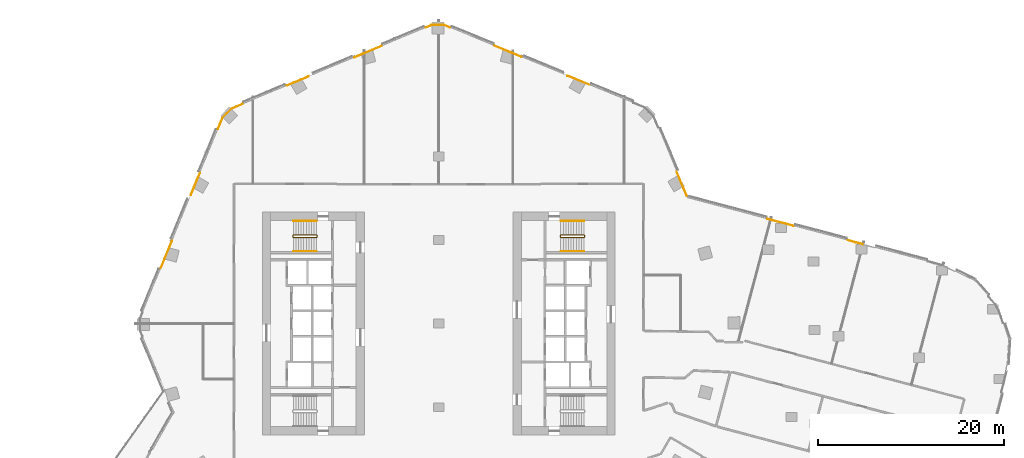
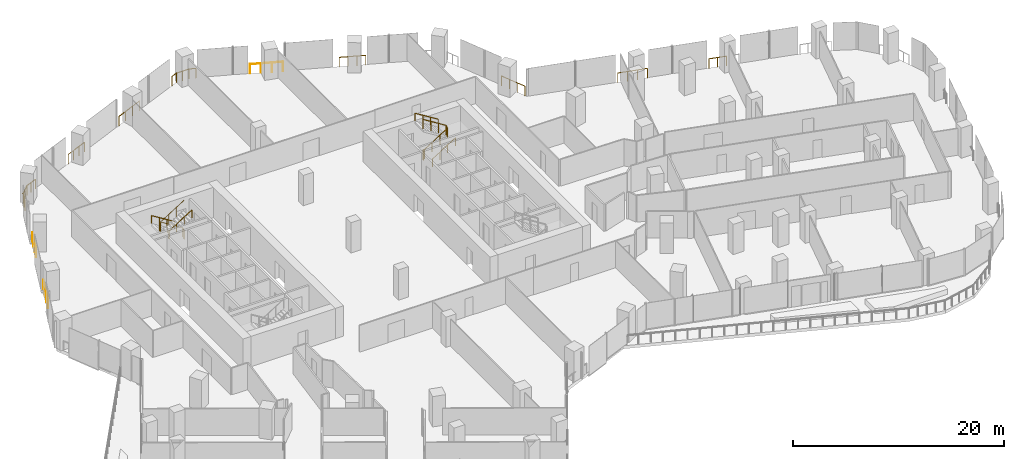
# One storey, part 33 of 34: 17 railings.
"""IFC4 building model written with IfcOpenShell, lengths in metres."""

from ifc_helpers import new_model, si_unit, direction, frame, origin, origin_2d, place, context, subcontext, project, spatial, circle, extrude, material, type_object, element, save


model = new_model("IFC4")

# Units and contexts
model_context = context("Model", 3, precision=1e-05, world=origin(), true_north=direction((0.0, 1.0)))
body_context = subcontext(model_context, "Body", "Model", "MODEL_VIEW")
ifc_project = project(units=[si_unit("LENGTHUNIT", "METRE"), si_unit("AREAUNIT", "SQUARE_METRE"), si_unit("VOLUMEUNIT", "CUBIC_METRE"), si_unit("PLANEANGLEUNIT", "RADIAN"), si_unit("MASSUNIT", "GRAM", prefix="KILO")], contexts=[model_context])

# Site, building, storey
site_placement = place(None, origin())
site = spatial("IfcSite", under=ifc_project, at=site_placement, CompositionType="ELEMENT")
building_placement = place(site_placement, origin())
building = spatial("IfcBuilding", under=site, at=building_placement, Name="Orlundy Tower", CompositionType="ELEMENT")
storey_placement = place(building_placement, frame((0.0, 0.0, 102.199951171875)))
storey = spatial("IfcBuildingStorey", under=building, at=storey_placement, Name="L25", CompositionType="ELEMENT", Elevation=102.199951171875)

# Railings
ifc_material_1 = material(Name="Steel balustrade", Category="steel")
railing_type_1 = type_object("IfcRailingType", Name="Stair Guard 1100", PredefinedType="GUARDRAIL", material=ifc_material_1)
railing_1_placement = place(storey_placement, frame((-13.090087890625, 9.5, 0.0)))
element("IfcRailing", 1, at=railing_1_placement, inside=storey, type_object=railing_type_1, Name="L25 ST-W1 stair guard 1", PredefinedType="GUARDRAIL", context=body_context, shape_type="SweptSolid", body=[
    extrude(circle(Radius=0.02392578125, at=origin_2d()), frame((0.0, 0.0, 1.076171875), z_axis=(0.0, -1.0, 0.0), x_axis=(1.0, 0.0, 0.0)), (0.0, 0.0, 1.0), 0.14990234375),
    extrude(circle(Radius=0.02392578125, at=origin_2d()), frame((0.0, -0.14990234375, 1.076171875), z_axis=(-0.18420542264, 0.739530593833, 0.647427882513), x_axis=(-0.970351222016, -0.241699205484, 0.0)), (0.0, 0.0, 1.0), 0.270263671875),
    extrude(circle(Radius=0.02392578125, at=origin_2d()), frame((-0.0498046875, 0.050048828125, 1.2509765625), z_axis=(-0.848007534815, 0.0, 0.529984170421), x_axis=(0.0, -1.0, 0.0)), (0.0, 0.0, 1.0), 2.9716796875),
    extrude(circle(Radius=0.02392578125, at=origin_2d()), frame((-2.56982421875, 0.050048828125, 2.826171875), z_axis=(-0.707106781187, -0.707106781187, 0.0), x_axis=(0.707106781187, -0.707106781187, 0.0)), (0.0, 0.0, 1.0), 0.07080078125),
    extrude(circle(Radius=0.02392578125, at=origin_2d()), frame((-2.619873046875, 0.0, 2.826171875), z_axis=(0.0, -1.0, 0.0), x_axis=(1.0, 0.0, 0.0)), (0.0, 0.0, 1.0), 0.14990234375),
    extrude(circle(Radius=0.02392578125, at=origin_2d()), frame((-2.619873046875, -0.14990234375, 2.826171875), z_axis=(0.265065253269, -0.265065253269, 0.927081885822), x_axis=(0.707106781187, 0.707106781187, 0.0)), (0.0, 0.0, 1.0), 0.188720703125),
    extrude(circle(Radius=0.02392578125, at=origin_2d()), frame((-2.56982421875, -0.199951171875, 3.0009765625), z_axis=(0.848007534815, 0.0, 0.529984170421), x_axis=(0.0, 1.0, 0.0)), (0.0, 0.0, 1.0), 2.9716796875),
    extrude(circle(Radius=0.02099609375, at=origin_2d()), origin(), (0.0, 0.0, 1.0), 1.052001953125),
    extrude(circle(Radius=0.02099609375, at=origin_2d()), frame((0.0, -0.14990234375, 0.0)), (0.0, 0.0, 1.0), 1.052001953125),
    extrude(circle(Radius=0.02099609375, at=origin_2d()), frame((-0.0498046875, 0.050048828125, 0.175048828125)), (0.0, 0.0, 1.0), 1.052001953125),
    extrude(circle(Radius=0.02099609375, at=origin_2d()), frame((-0.889892578125, 0.050048828125, 0.699951171875)), (0.0, 0.0, 1.0), 1.052001953125),
    extrude(circle(Radius=0.02099609375, at=origin_2d()), frame((-1.729736328125, 0.050048828125, 1.22509765625)), (0.0, 0.0, 1.0), 1.052001953125),
    extrude(circle(Radius=0.02099609375, at=origin_2d()), frame((-2.56982421875, 0.050048828125, 1.75)), (0.0, 0.0, 1.0), 1.052001953125),
    extrude(circle(Radius=0.02099609375, at=origin_2d()), frame((-2.619873046875, 0.0, 1.75)), (0.0, 0.0, 1.0), 1.052001953125),
    extrude(circle(Radius=0.02099609375, at=origin_2d()), frame((-2.619873046875, -0.14990234375, 1.75)), (0.0, 0.0, 1.0), 1.052001953125),
    extrude(circle(Radius=0.02099609375, at=origin_2d()), frame((-2.56982421875, -0.199951171875, 1.925048828125)), (0.0, 0.0, 1.0), 1.052001953125),
    extrude(circle(Radius=0.02099609375, at=origin_2d()), frame((-1.729736328125, -0.199951171875, 2.449951171875)), (0.0, 0.0, 1.0), 1.052001953125),
    extrude(circle(Radius=0.02099609375, at=origin_2d()), frame((-0.889892578125, -0.199951171875, 2.97509765625)), (0.0, 0.0, 1.0), 1.052001953125),
    extrude(circle(Radius=0.02099609375, at=origin_2d()), frame((-0.0498046875, -0.199951171875, 3.5)), (0.0, 0.0, 1.0), 1.052001953125),
])
railing_2_placement = place(storey_placement, frame((13.090087890625, 9.35009765625, 0.0)))
element("IfcRailing", 2, at=railing_2_placement, inside=storey, type_object=railing_type_1, Name="L25 ST-E2 stair guard 1", PredefinedType="GUARDRAIL", context=body_context, shape_type="SweptSolid", body=[
    extrude(circle(Radius=0.02392578125, at=origin_2d()), frame((0.0, 0.0, 1.076171875), z_axis=(0.0, 1.0, 0.0), x_axis=(-1.0, 0.0, 0.0)), (0.0, 0.0, 1.0), 0.14990234375),
    extrude(circle(Radius=0.02392578125, at=origin_2d()), frame((0.0, 0.14990234375, 1.076171875), z_axis=(0.18420542264, -0.739530593833, 0.647427882513), x_axis=(0.970351222016, 0.241699205484, 0.0)), (0.0, 0.0, 1.0), 0.270263671875),
    extrude(circle(Radius=0.02392578125, at=origin_2d()), frame((0.0498046875, -0.050048828125, 1.2509765625), z_axis=(0.848007534815, 0.0, 0.529984170421), x_axis=(0.0, 1.0, 0.0)), (0.0, 0.0, 1.0), 2.9716796875),
    extrude(circle(Radius=0.02392578125, at=origin_2d()), frame((2.56982421875, -0.050048828125, 2.826171875), z_axis=(0.707106781187, 0.707106781187, 0.0), x_axis=(-0.707106781187, 0.707106781187, 0.0)), (0.0, 0.0, 1.0), 0.07080078125),
    extrude(circle(Radius=0.02392578125, at=origin_2d()), frame((2.619873046875, 0.0, 2.826171875), z_axis=(0.0, 1.0, 0.0), x_axis=(-1.0, 0.0, 0.0)), (0.0, 0.0, 1.0), 0.14990234375),
    extrude(circle(Radius=0.02392578125, at=origin_2d()), frame((2.619873046875, 0.14990234375, 2.826171875), z_axis=(-0.265065253269, 0.265065253269, 0.927081885822), x_axis=(-0.707106781187, -0.707106781187, 0.0)), (0.0, 0.0, 1.0), 0.188720703125),
    extrude(circle(Radius=0.02392578125, at=origin_2d()), frame((2.56982421875, 0.199951171875, 3.0009765625), z_axis=(-0.848007534815, 0.0, 0.529984170421), x_axis=(0.0, -1.0, 0.0)), (0.0, 0.0, 1.0), 2.9716796875),
    extrude(circle(Radius=0.02099609375, at=origin_2d()), origin(), (0.0, 0.0, 1.0), 1.052001953125),
    extrude(circle(Radius=0.02099609375, at=origin_2d()), frame((0.0, 0.14990234375, 0.0)), (0.0, 0.0, 1.0), 1.052001953125),
    extrude(circle(Radius=0.02099609375, at=origin_2d()), frame((0.0498046875, -0.050048828125, 0.175048828125)), (0.0, 0.0, 1.0), 1.052001953125),
    extrude(circle(Radius=0.02099609375, at=origin_2d()), frame((0.889892578125, -0.050048828125, 0.699951171875)), (0.0, 0.0, 1.0), 1.052001953125),
    extrude(circle(Radius=0.02099609375, at=origin_2d()), frame((1.729736328125, -0.050048828125, 1.22509765625)), (0.0, 0.0, 1.0), 1.052001953125),
    extrude(circle(Radius=0.02099609375, at=origin_2d()), frame((2.56982421875, -0.050048828125, 1.75)), (0.0, 0.0, 1.0), 1.052001953125),
    extrude(circle(Radius=0.02099609375, at=origin_2d()), frame((2.619873046875, 0.0, 1.75)), (0.0, 0.0, 1.0), 1.052001953125),
    extrude(circle(Radius=0.02099609375, at=origin_2d()), frame((2.619873046875, 0.14990234375, 1.75)), (0.0, 0.0, 1.0), 1.052001953125),
    extrude(circle(Radius=0.02099609375, at=origin_2d()), frame((2.56982421875, 0.199951171875, 1.925048828125)), (0.0, 0.0, 1.0), 1.052001953125),
    extrude(circle(Radius=0.02099609375, at=origin_2d()), frame((1.729736328125, 0.199951171875, 2.449951171875)), (0.0, 0.0, 1.0), 1.052001953125),
    extrude(circle(Radius=0.02099609375, at=origin_2d()), frame((0.889892578125, 0.199951171875, 2.97509765625)), (0.0, 0.0, 1.0), 1.052001953125),
    extrude(circle(Radius=0.02099609375, at=origin_2d()), frame((0.0498046875, 0.199951171875, 3.5)), (0.0, 0.0, 1.0), 1.052001953125),
])
ifc_material_2 = material(Name="Steel handrail", Category="steel")
railing_type_2 = type_object("IfcRailingType", Name="Stair Handrail 900", PredefinedType="HANDRAIL", material=ifc_material_2)
railing_3_placement = place(storey_placement, frame((-13.139892578125, 11.050048828125, 0.175048828125)))
element("IfcRailing", 3, at=railing_3_placement, inside=storey, type_object=railing_type_2, Name="L25 ST-W1 stair handrail 1", PredefinedType="HANDRAIL", context=body_context, shape_type="SweptSolid", body=[
    extrude(circle(Radius=0.02392578125, at=origin_2d()), frame((0.0, 0.0, 0.8759765625), z_axis=(-0.848007534815, 0.0, 0.529984170421), x_axis=(0.0, -1.0, 0.0)), (0.0, 0.0, 1.0), 2.9716796875),
    extrude(circle(Radius=0.02099609375, at=origin_2d()), origin(), (0.0, 0.0, 1.0), 0.851806640625),
    extrude(circle(Radius=0.02099609375, at=origin_2d()), frame((-0.840087890625, 0.0, 0.52490234375)), (0.0, 0.0, 1.0), 0.851806640625),
    extrude(circle(Radius=0.02099609375, at=origin_2d()), frame((-1.679931640625, 0.0, 1.050048828125)), (0.0, 0.0, 1.0), 0.851806640625),
    extrude(circle(Radius=0.02099609375, at=origin_2d()), frame((-2.52001953125, 0.0, 1.574951171875)), (0.0, 0.0, 1.0), 0.851806640625),
])
for number, where, name in (
    (4, (-15.659912109375, 7.800048828125, 1.925048828125), "L25 ST-W1 stair handrail 2"),
    (5, (13.139892578125, 7.800048828125, 0.175048828125), "L25 ST-E2 stair handrail 1"),
):
    element("IfcRailing", number, at=place(storey_placement, frame(where)), inside=storey, type_object=railing_type_2, Name=name, PredefinedType="HANDRAIL", context=body_context, shape_type="SweptSolid", body=[
        extrude(circle(Radius=0.02392578125, at=origin_2d()), frame((0.0, 0.0, 0.8759765625), z_axis=(0.848007534815, 0.0, 0.529984170421), x_axis=(0.0, 1.0, 0.0)), (0.0, 0.0, 1.0), 2.9716796875),
        extrude(circle(Radius=0.02099609375, at=origin_2d()), origin(), (0.0, 0.0, 1.0), 0.851806640625),
        extrude(circle(Radius=0.02099609375, at=origin_2d()), frame((0.840087890625, 0.0, 0.52490234375)), (0.0, 0.0, 1.0), 0.851806640625),
        extrude(circle(Radius=0.02099609375, at=origin_2d()), frame((1.679931640625, 0.0, 1.050048828125)), (0.0, 0.0, 1.0), 0.851806640625),
        extrude(circle(Radius=0.02099609375, at=origin_2d()), frame((2.52001953125, 0.0, 1.574951171875)), (0.0, 0.0, 1.0), 0.851806640625),
    ])
railing_4_placement = place(storey_placement, frame((15.659912109375, 11.050048828125, 1.925048828125)))
element("IfcRailing", 6, at=railing_4_placement, inside=storey, type_object=railing_type_2, Name="L25 ST-E2 stair handrail 2", PredefinedType="HANDRAIL", context=body_context, shape_type="SweptSolid", body=[
    extrude(circle(Radius=0.02392578125, at=origin_2d()), frame((0.0, 0.0, 0.8759765625), z_axis=(-0.848007534815, 0.0, 0.529984170421), x_axis=(0.0, -1.0, 0.0)), (0.0, 0.0, 1.0), 2.9716796875),
    extrude(circle(Radius=0.02099609375, at=origin_2d()), origin(), (0.0, 0.0, 1.0), 0.851806640625),
    extrude(circle(Radius=0.02099609375, at=origin_2d()), frame((-0.840087890625, 0.0, 0.52490234375)), (0.0, 0.0, 1.0), 0.851806640625),
    extrude(circle(Radius=0.02099609375, at=origin_2d()), frame((-1.679931640625, 0.0, 1.050048828125)), (0.0, 0.0, 1.0), 0.851806640625),
    extrude(circle(Radius=0.02099609375, at=origin_2d()), frame((-2.52001953125, 0.0, 1.574951171875)), (0.0, 0.0, 1.0), 0.851806640625),
])
ifc_material_3 = material(Name="Stainless steel bronze finish", Category="steel")
railing_type_3 = type_object("IfcRailingType", Name="TG1 terrace guard", PredefinedType="GUARDRAIL", material=ifc_material_3)
railing_5_placement = place(storey_placement, frame((-23.7705078125, 20.981689453125, 0.0)))
element("IfcRailing", 7, at=railing_5_placement, inside=storey, type_object=railing_type_3, Name="Guard TG-L25-E01", PredefinedType="GUARDRAIL", context=body_context, shape_type="SweptSolid", body=[
    extrude(circle(Radius=0.02490234375, at=origin_2d()), frame((0.0, 0.0, 1.09521484375), z_axis=(0.380125664505, 0.924934851319, 0.0), x_axis=(-0.924934851319, 0.380125664505, 0.0)), (0.0, 0.0, 1.0), 1.298583984375),
    extrude(circle(Radius=0.02490234375, at=origin_2d()), frame((0.49365234375, 1.201171875, 1.09521484375), z_axis=(0.705129374531, 0.709078673472, 0.0), x_axis=(-0.709078673472, 0.705129374531, 0.0)), (0.0, 0.0, 1.0), 1.360107421875),
    extrude(circle(Radius=0.02490234375, at=origin_2d()), frame((1.45263671875, 2.16552734375, 1.09521484375), z_axis=(0.922756200559, 0.385384216502, 0.0), x_axis=(-0.385384216502, 0.922756200559, 0.0)), (0.0, 0.0, 1.0), 1.3076171875),
    extrude(circle(Radius=0.02001953125, at=origin_2d()), origin(), (0.0, 0.0, 1.0), 1.070068359375),
    extrude(circle(Radius=0.02001953125, at=origin_2d()), frame((0.246826171875, 0.6005859375, 0.0)), (0.0, 0.0, 1.0), 1.070068359375),
    extrude(circle(Radius=0.02001953125, at=origin_2d()), frame((0.49365234375, 1.201171875, 0.0)), (0.0, 0.0, 1.0), 1.070068359375),
    extrude(circle(Radius=0.02001953125, at=origin_2d()), frame((0.97314453125, 1.683349609375, 0.0)), (0.0, 0.0, 1.0), 1.070068359375),
    extrude(circle(Radius=0.02001953125, at=origin_2d()), frame((1.45263671875, 2.16552734375, 0.0)), (0.0, 0.0, 1.0), 1.070068359375),
    extrude(circle(Radius=0.02001953125, at=origin_2d()), frame((2.055908203125, 2.41748046875, 0.0)), (0.0, 0.0, 1.0), 1.070068359375),
    extrude(circle(Radius=0.02001953125, at=origin_2d()), frame((2.6591796875, 2.66943359375, 0.0)), (0.0, 0.0, 1.0), 1.070068359375),
])
railing_6_placement = place(storey_placement, frame((-9.067626953125, 28.680908203125, 0.0)))
element("IfcRailing", 8, at=railing_6_placement, inside=storey, type_object=railing_type_3, Name="Guard TG-L25-E04", PredefinedType="GUARDRAIL", context=body_context, shape_type="SweptSolid", body=[
    extrude(circle(Radius=0.02490234375, at=origin_2d()), frame((0.0, 0.0, 1.09521484375), z_axis=(0.922773621307, 0.385342501963, 0.0), x_axis=(-0.385342501963, 0.922773621307, 0.0)), (0.0, 0.0, 1.0), 3.17041015625),
    extrude(circle(Radius=0.02001953125, at=origin_2d()), origin(), (0.0, 0.0, 1.0), 1.070068359375),
    extrude(circle(Radius=0.02001953125, at=origin_2d()), frame((0.97509765625, 0.4072265625, 0.0)), (0.0, 0.0, 1.0), 1.070068359375),
    extrude(circle(Radius=0.02001953125, at=origin_2d()), frame((1.950439453125, 0.814453125, 0.0)), (0.0, 0.0, 1.0), 1.070068359375),
    extrude(circle(Radius=0.02001953125, at=origin_2d()), frame((2.925537109375, 1.2216796875, 0.0)), (0.0, 0.0, 1.0), 1.070068359375),
])
railing_7_placement = place(storey_placement, frame((-29.934814453125, 5.9765625, 0.0)))
element("IfcRailing", 9, at=railing_7_placement, inside=storey, type_object=railing_type_3, Name="Guard TG-L25-E05", PredefinedType="GUARDRAIL", context=body_context, shape_type="SweptSolid", body=[
    extrude(circle(Radius=0.02490234375, at=origin_2d()), frame((0.0, 0.0, 1.09521484375), z_axis=(0.380015607467, 0.924980074424, 0.0), x_axis=(-0.924980074424, 0.380015607467, 0.0)), (0.0, 0.0, 1.0), 3.161376953125),
    extrude(circle(Radius=0.02001953125, at=origin_2d()), origin(), (0.0, 0.0, 1.0), 1.070068359375),
    extrude(circle(Radius=0.02001953125, at=origin_2d()), frame((0.400390625, 0.974853515625, 0.0)), (0.0, 0.0, 1.0), 1.070068359375),
    extrude(circle(Radius=0.02001953125, at=origin_2d()), frame((0.801025390625, 1.949462890625, 0.0)), (0.0, 0.0, 1.0), 1.070068359375),
    extrude(circle(Radius=0.02001953125, at=origin_2d()), frame((1.201416015625, 2.92431640625, 0.0)), (0.0, 0.0, 1.0), 1.070068359375),
])
railing_8_placement = place(storey_placement, frame((5.9765625, 29.934814453125, 0.0)))
element("IfcRailing", 10, at=railing_8_placement, inside=storey, type_object=railing_type_3, Name="Guard TG-L25-E06", PredefinedType="GUARDRAIL", context=body_context, shape_type="SweptSolid", body=[
    extrude(circle(Radius=0.02490234375, at=origin_2d()), frame((0.0, 0.0, 1.09521484375), z_axis=(0.924980074424, -0.380015607467, 0.0), x_axis=(0.380015607467, 0.924980074424, 0.0)), (0.0, 0.0, 1.0), 3.161376953125),
    extrude(circle(Radius=0.02001953125, at=origin_2d()), origin(), (0.0, 0.0, 1.0), 1.070068359375),
    extrude(circle(Radius=0.02001953125, at=origin_2d()), frame((0.974853515625, -0.400390625, 0.0)), (0.0, 0.0, 1.0), 1.070068359375),
    extrude(circle(Radius=0.02001953125, at=origin_2d()), frame((1.949462890625, -0.801025390625, 0.0)), (0.0, 0.0, 1.0), 1.070068359375),
    extrude(circle(Radius=0.02001953125, at=origin_2d()), frame((2.92431640625, -1.201416015625, 0.0)), (0.0, 0.0, 1.0), 1.070068359375),
])
railing_9_placement = place(storey_placement, frame((35.411376953125, 11.270263671875, 0.0)))
element("IfcRailing", 11, at=railing_9_placement, inside=storey, type_object=railing_type_3, Name="Guard TG-L25-E012", PredefinedType="GUARDRAIL", context=body_context, shape_type="SweptSolid", body=[
    extrude(circle(Radius=0.02490234375, at=origin_2d()), frame((0.0, 0.0, 1.09521484375), z_axis=(0.966670349723, -0.256024285892, 0.0), x_axis=(0.256024285892, 0.966670349723, 0.0)), (0.0, 0.0, 1.0), 2.903564453125),
    extrude(circle(Radius=0.02001953125, at=origin_2d()), origin(), (0.0, 0.0, 1.0), 1.070068359375),
    extrude(circle(Radius=0.02001953125, at=origin_2d()), frame((0.935546875, -0.247802734375, 0.0)), (0.0, 0.0, 1.0), 1.070068359375),
    extrude(circle(Radius=0.02001953125, at=origin_2d()), frame((1.871337890625, -0.49560546875, 0.0)), (0.0, 0.0, 1.0), 1.070068359375),
    extrude(circle(Radius=0.02001953125, at=origin_2d()), frame((2.806884765625, -0.743408203125, 0.0)), (0.0, 0.0, 1.0), 1.070068359375),
])
railing_10_placement = place(storey_placement, frame((25.63525390625, 16.360595703125, 0.0)))
element("IfcRailing", 12, at=railing_10_placement, inside=storey, type_object=railing_type_3, Name="Guard TG-L25-E013", PredefinedType="GUARDRAIL", context=body_context, shape_type="SweptSolid", body=[
    extrude(circle(Radius=0.02490234375, at=origin_2d()), frame((0.0, 0.0, 1.09521484375), z_axis=(0.385399924507, -0.922749640038, 0.0), x_axis=(0.922749640038, 0.385399924507, 0.0)), (0.0, 0.0, 1.0), 2.827880859375),
    extrude(circle(Radius=0.02001953125, at=origin_2d()), origin(), (0.0, 0.0, 1.0), 1.070068359375),
    extrude(circle(Radius=0.02001953125, at=origin_2d()), frame((0.36328125, -0.869873046875, 0.0)), (0.0, 0.0, 1.0), 1.070068359375),
    extrude(circle(Radius=0.02001953125, at=origin_2d()), frame((0.7265625, -1.739501953125, 0.0)), (0.0, 0.0, 1.0), 1.070068359375),
    extrude(circle(Radius=0.02001953125, at=origin_2d()), frame((1.08984375, -2.609375, 0.0)), (0.0, 0.0, 1.0), 1.070068359375),
])
railing_11_placement = place(storey_placement, frame((-1.3916015625, 31.88671875, 0.0)))
element("IfcRailing", 13, at=railing_11_placement, inside=storey, type_object=railing_type_3, Name="Guard TG-L25-E014", PredefinedType="GUARDRAIL", context=body_context, shape_type="SweptSolid", body=[
    extrude(circle(Radius=0.02490234375, at=origin_2d()), frame((0.0, 0.0, 1.09521484375), z_axis=(0.922709637757, 0.385495686604, 0.0), x_axis=(-0.385495686604, 0.922709637757, 0.0)), (0.0, 0.0, 1.0), 0.66943359375),
    extrude(circle(Radius=0.02490234375, at=origin_2d()), frame((0.61767578125, 0.258056640625, 1.09521484375), z_axis=(0.999994182143, 0.003411111214, 0.0), x_axis=(-0.003411111214, 0.999994182143, 0.0)), (0.0, 0.0, 1.0), 1.35986328125),
    extrude(circle(Radius=0.02490234375, at=origin_2d()), frame((1.9775390625, 0.2626953125, 1.09521484375), z_axis=(0.924971837991, -0.380035654806, 0.0), x_axis=(0.380035654806, 0.924971837991, 0.0)), (0.0, 0.0, 1.0), 0.670654296875),
    extrude(circle(Radius=0.02001953125, at=origin_2d()), origin(), (0.0, 0.0, 1.0), 1.070068359375),
    extrude(circle(Radius=0.02001953125, at=origin_2d()), frame((0.61767578125, 0.258056640625, 0.0)), (0.0, 0.0, 1.0), 1.070068359375),
    extrude(circle(Radius=0.02001953125, at=origin_2d()), frame((1.297607421875, 0.26025390625, 0.0)), (0.0, 0.0, 1.0), 1.070068359375),
    extrude(circle(Radius=0.02001953125, at=origin_2d()), frame((1.9775390625, 0.2626953125, 0.0)), (0.0, 0.0, 1.0), 1.070068359375),
    extrude(circle(Radius=0.02001953125, at=origin_2d()), frame((2.597900390625, 0.0078125, 0.0)), (0.0, 0.0, 1.0), 1.070068359375),
])
railing_12_placement = place(storey_placement, frame((-26.692626953125, 13.86865234375, 0.0)))
element("IfcRailing", 14, at=railing_12_placement, inside=storey, type_object=railing_type_3, Name="Guard TG-L25-E016", PredefinedType="GUARDRAIL", context=body_context, shape_type="SweptSolid", body=[
    extrude(circle(Radius=0.02490234375, at=origin_2d()), frame((0.0, 0.0, 1.09521484375), z_axis=(0.38001307473, 0.924981114961, 0.0), x_axis=(-0.924981114961, 0.38001307473, 0.0)), (0.0, 0.0, 1.0), 2.533935546875),
    extrude(circle(Radius=0.02001953125, at=origin_2d()), origin(), (0.0, 0.0, 1.0), 1.070068359375),
    extrude(circle(Radius=0.02001953125, at=origin_2d()), frame((0.321044921875, 0.78125, 0.0)), (0.0, 0.0, 1.0), 1.070068359375),
    extrude(circle(Radius=0.02001953125, at=origin_2d()), frame((0.641845703125, 1.5625, 0.0)), (0.0, 0.0, 1.0), 1.070068359375),
    extrude(circle(Radius=0.02001953125, at=origin_2d()), frame((0.962890625, 2.34375, 0.0)), (0.0, 0.0, 1.0), 1.070068359375),
])
railing_13_placement = place(storey_placement, frame((13.86865234375, 26.692626953125, 0.0)))
element("IfcRailing", 15, at=railing_13_placement, inside=storey, type_object=railing_type_3, Name="Guard TG-L25-E017", PredefinedType="GUARDRAIL", context=body_context, shape_type="SweptSolid", body=[
    extrude(circle(Radius=0.02490234375, at=origin_2d()), frame((0.0, 0.0, 1.09521484375), z_axis=(0.924981114961, -0.38001307473, 0.0), x_axis=(0.38001307473, 0.924981114961, 0.0)), (0.0, 0.0, 1.0), 2.533935546875),
    extrude(circle(Radius=0.02001953125, at=origin_2d()), origin(), (0.0, 0.0, 1.0), 1.070068359375),
    extrude(circle(Radius=0.02001953125, at=origin_2d()), frame((0.78125, -0.321044921875, 0.0)), (0.0, 0.0, 1.0), 1.070068359375),
    extrude(circle(Radius=0.02001953125, at=origin_2d()), frame((1.5625, -0.641845703125, 0.0)), (0.0, 0.0, 1.0), 1.070068359375),
    extrude(circle(Radius=0.02001953125, at=origin_2d()), frame((2.34375, -0.962890625, 0.0)), (0.0, 0.0, 1.0), 1.070068359375),
])
railing_14_placement = place(storey_placement, frame((-16.360595703125, 25.63525390625, 0.0)))
element("IfcRailing", 16, at=railing_14_placement, inside=storey, type_object=railing_type_3, Name="Guard TG-L25-E018", PredefinedType="GUARDRAIL", context=body_context, shape_type="SweptSolid", body=[
    extrude(circle(Radius=0.02490234375, at=origin_2d()), frame((0.0, 0.0, 1.09521484375), z_axis=(0.922794332446, 0.385292901576, 0.0), x_axis=(-0.385292901576, 0.922794332446, 0.0)), (0.0, 0.0, 1.0), 2.53271484375),
    extrude(circle(Radius=0.02001953125, at=origin_2d()), origin(), (0.0, 0.0, 1.0), 1.070068359375),
    extrude(circle(Radius=0.02001953125, at=origin_2d()), frame((0.779052734375, 0.3251953125, 0.0)), (0.0, 0.0, 1.0), 1.070068359375),
    extrude(circle(Radius=0.02001953125, at=origin_2d()), frame((1.55810546875, 0.650634765625, 0.0)), (0.0, 0.0, 1.0), 1.070068359375),
    extrude(circle(Radius=0.02001953125, at=origin_2d()), frame((2.337158203125, 0.975830078125, 0.0)), (0.0, 0.0, 1.0), 1.070068359375),
])
railing_15_placement = place(storey_placement, frame((44.05615234375, 8.980712890625, 0.0)))
element("IfcRailing", 17, at=railing_15_placement, inside=storey, type_object=railing_type_3, Name="Guard TG-L25-E021", PredefinedType="GUARDRAIL", context=body_context, shape_type="SweptSolid", body=[
    extrude(circle(Radius=0.02490234375, at=origin_2d()), frame((0.0, 0.0, 1.09521484375), z_axis=(0.966678393913, -0.255993911534, 0.0), x_axis=(0.255993911534, 0.966678393913, 0.0)), (0.0, 0.0, 1.0), 1.721435546875),
    extrude(circle(Radius=0.02001953125, at=origin_2d()), origin(), (0.0, 0.0, 1.0), 1.070068359375),
    extrude(circle(Radius=0.02001953125, at=origin_2d()), frame((0.83203125, -0.22021484375, 0.0)), (0.0, 0.0, 1.0), 1.070068359375),
    extrude(circle(Radius=0.02001953125, at=origin_2d()), frame((1.6640625, -0.440673828125, 0.0)), (0.0, 0.0, 1.0), 1.070068359375),
])

save(model, "model.ifc")
